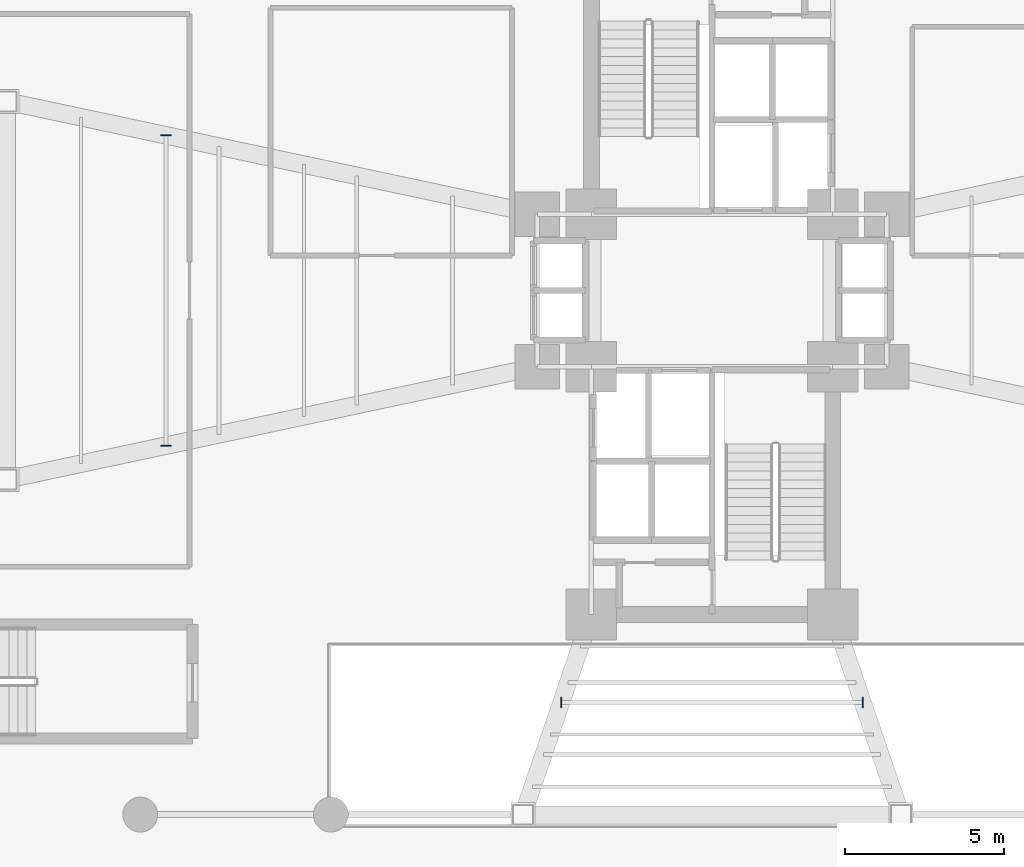
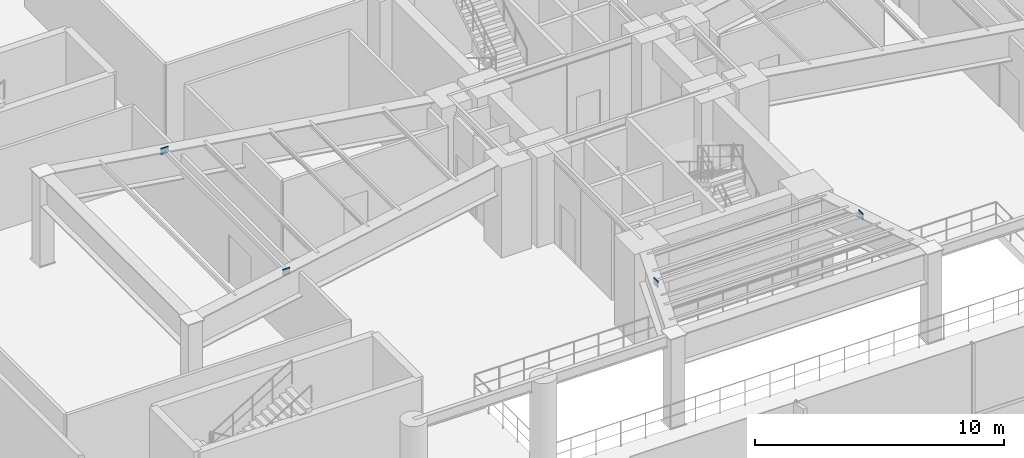
# One storey, part 13 of 22: 4 plates.
"""IFC4 building model written with IfcOpenShell, lengths in metres."""

from ifc_helpers import new_model, si_unit, direction, frame, origin, origin_2d, place, context, subcontext, project, spatial, rectangle, extrude, source, transform, mapped, material, type_object, element, save


model = new_model("IFC4")

# Units and contexts
model_context = context("Model", 3, precision=1e-05, world=origin(), true_north=direction((0.0, 1.0)))
body_context = subcontext(model_context, "Body", "Model", "MODEL_VIEW")
ifc_project = project(units=[si_unit("LENGTHUNIT", "METRE"), si_unit("AREAUNIT", "SQUARE_METRE"), si_unit("VOLUMEUNIT", "CUBIC_METRE"), si_unit("PLANEANGLEUNIT", "RADIAN"), si_unit("MASSUNIT", "GRAM", prefix="KILO")], contexts=[model_context])

# Site, building, storey
site_placement = place(None, origin())
site = spatial("IfcSite", under=ifc_project, at=site_placement, CompositionType="ELEMENT")
building_placement = place(site_placement, origin())
building = spatial("IfcBuilding", under=site, at=building_placement, Name="Sahyath Konkavel Grand Hotel", CompositionType="ELEMENT")
storey_placement = place(building_placement, frame((0.0, 0.0, 9.300048828125)))
storey = spatial("IfcBuildingStorey", under=building, at=storey_placement, Name="L02", CompositionType="ELEMENT", Elevation=9.300048828125)

# Plates
ifc_material = material(Name="Steel E450", Category="steel")
plate_type = type_object("IfcPlateType", Name="GUSSET-END-35", PredefinedType="USERDEFINED", material=ifc_material)
shared_shape = source(origin(), body_context, "Body", "SweptSolid", [
    extrude(rectangle(XDim=0.0400390625, YDim=0.340087890625, at=origin_2d()), origin(), (0.0, 0.0, 1.0), 0.300048828125),
])
for number, where, z_axis, x_axis, name in (
    (1, (-17.18994140625, 4.885009765625, 4.14013671875), (0.0, 0.0, 1.0), (0.0, -1.0, 0.0), "L02 Sub-Beam W-5 End Cap A"),
    (2, (-17.18994140625, -4.885009765625, 4.14013671875), (0.0, 0.0, 1.0), (0.0, -1.0, 0.0), "L02 Sub-Beam W-5 End Cap B"),
    (3, (-4.74609375, -12.971923828125, 4.14013671875), (0.0, 0.0, 1.0), (1.0, 0.0, 0.0), "L02 Sub-Beam S-3 End Cap A"),
    (4, (4.74609375, -12.971923828125, 4.14013671875), (0.0, 0.0, 1.0), (1.0, 0.0, 0.0), "L02 Sub-Beam S-3 End Cap B"),
):
    element("IfcPlate", number, at=place(storey_placement, frame(where, z_axis=z_axis, x_axis=x_axis)), inside=storey, type_object=plate_type, Name=name, ObjectType="GUSSET_PLATE", PredefinedType="USERDEFINED", context=body_context, shape_type="MappedRepresentation", body=[
        mapped(shared_shape, transform((0.0, 0.0, 0.0), scale=1.0)),
    ])

save(model, "model.ifc")
